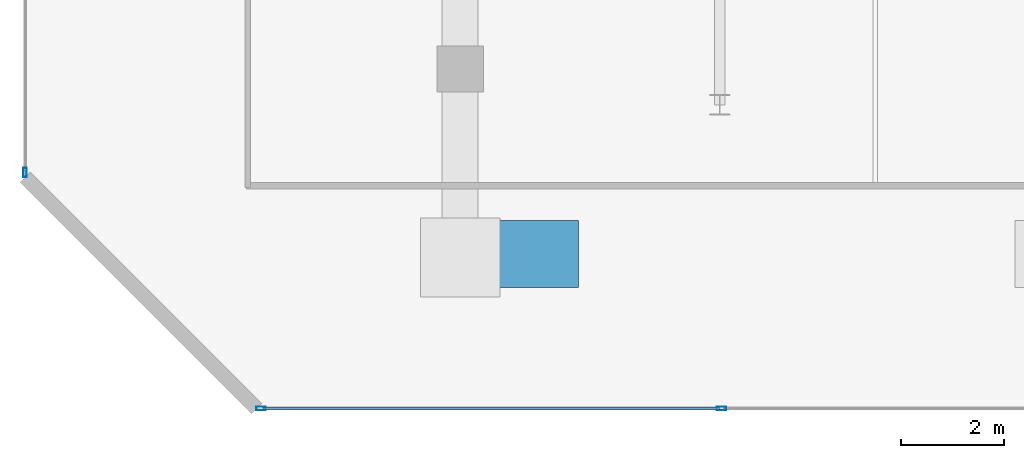
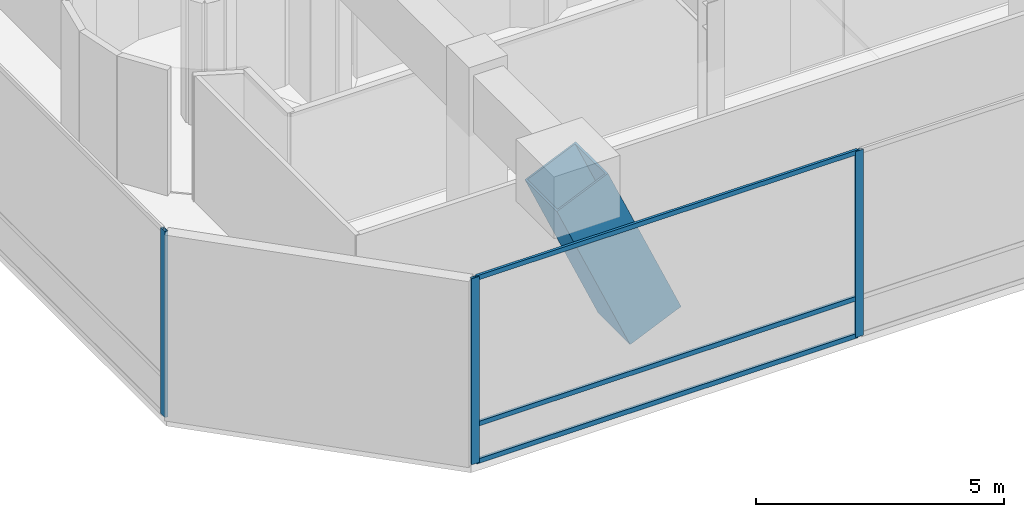
# One storey, part 5 of 45: 7 members, 2 elements without a shape of their own.
"""IFC4 building model written with IfcOpenShell, lengths in metres."""

from ifc_helpers import new_model, si_unit, direction, frame, origin, origin_2d, place, context, subcontext, project, spatial, hollow_rectangle, extrude, material, layer, layer_set, material_profile, profile_set, type_object, element, aggregate, save


model = new_model("IFC4")

# Units and contexts
model_context = context("Model", 3, precision=1e-05, world=origin(), true_north=direction((0.0, 1.0)))
body_context = subcontext(model_context, "Body", "Model", "MODEL_VIEW")
ifc_project = project(units=[si_unit("LENGTHUNIT", "METRE"), si_unit("AREAUNIT", "SQUARE_METRE"), si_unit("VOLUMEUNIT", "CUBIC_METRE"), si_unit("PLANEANGLEUNIT", "RADIAN"), si_unit("MASSUNIT", "GRAM", prefix="KILO")], contexts=[model_context])

# Site, building, storey
site_placement = place(None, origin())
site = spatial("IfcSite", under=ifc_project, at=site_placement, CompositionType="ELEMENT")
building_placement = place(site_placement, origin())
building = spatial("IfcBuilding", under=site, at=building_placement, Name="Qianvela Tower", CompositionType="ELEMENT")
storey_placement = place(building_placement, frame((0.0, 0.0, 11.0)))
storey = spatial("IfcBuildingStorey", under=building, at=storey_placement, Name="L02", CompositionType="ELEMENT", Elevation=11.0)

# Curtain wall, members
ifc_material_1 = material(Name="Anodised Architectural Aluminium and Low-E Glass", Category="aluminium")
ifc_layer = layer(ifc_material_1, 0.179931640625)
ifc_layer_set = layer_set([ifc_layer], Name="Anodised Architectural Aluminium and Low-E Glass")
curtain_wall_type = type_object("IfcCurtainWallType", Name="CW-COMMONS", PredefinedType="USERDEFINED", material=ifc_layer_set)
curtain_wall_1_placement = place(storey_placement, origin())
curtain_wall_1 = element("IfcCurtainWall", 1, at=curtain_wall_1_placement, inside=storey, type_object=curtain_wall_type, Name="L02 CW-COMMONS Curtain Wall 01", ObjectType="CURTAIN_WALL_SYSTEM", PredefinedType="USERDEFINED")
ifc_material_2 = material(Name="Anodised Architectural Aluminium 6063-T6", Category="aluminium")
ifc_material_profile_1 = material_profile(ifc_material_2, hollow_rectangle(XDim=0.070068359375, YDim=0.179931640625, WallThickness=0.0048828125, at=origin_2d()), Name="ALU-MULL-70x180")
ifc_profile_set_1 = profile_set([ifc_material_profile_1], Name="Anodised Architectural Aluminium 6063-T6")
member_type_1 = type_object("IfcMemberType", Name="CW-COMMONS-MULL", PredefinedType="MULLION", material=ifc_profile_set_1)
member_1_placement = place(storey_placement, frame((6.0849609375, 1.5, 0.0), z_axis=(0.0, 0.0, 1.0), x_axis=(0.0, 1.0, 0.0)))
member_1 = element("IfcMember", 2, at=member_1_placement, type_object=member_type_1, Name="CW-2 mullion 1", PredefinedType="MULLION", context=body_context, shape_type="SweptSolid", body=[
    extrude(hollow_rectangle(XDim=0.070068359375, YDim=0.179931640625, WallThickness=0.0048828125, at=origin_2d()), origin(), (0.0, 0.0, 1.0), 4.580078125),
])
member_2_placement = place(storey_placement, frame((15.03564453125, 1.5, 0.0), z_axis=(0.0, 0.0, 1.0), x_axis=(0.0, 1.0, 0.0)))
member_2 = element("IfcMember", 3, at=member_2_placement, type_object=member_type_1, Name="CW-2 mullion 2", PredefinedType="MULLION", context=body_context, shape_type="SweptSolid", body=[
    extrude(hollow_rectangle(XDim=0.070068359375, YDim=0.179931640625, WallThickness=0.0048828125, at=origin_2d()), origin(), (0.0, 0.0, 1.0), 4.580078125),
])

# Curtain wall, member
curtain_wall_2_placement = place(storey_placement, origin())
curtain_wall_2 = element("IfcCurtainWall", 4, at=curtain_wall_2_placement, inside=storey, type_object=curtain_wall_type, Name="L02 CW-COMMONS Curtain Wall 07", ObjectType="CURTAIN_WALL_SYSTEM", PredefinedType="USERDEFINED")
member_3_placement = place(storey_placement, frame((1.5, 6.0849609375, 0.0), z_axis=(0.0, 0.0, 1.0), x_axis=(1.0, 0.0, 0.0)))
member_3 = element("IfcMember", 5, at=member_3_placement, type_object=member_type_1, Name="CW-2 mullion 5", PredefinedType="MULLION", context=body_context, shape_type="SweptSolid", body=[
    extrude(hollow_rectangle(XDim=0.070068359375, YDim=0.179931640625, WallThickness=0.0048828125, at=origin_2d()), origin(), (0.0, 0.0, 1.0), 4.580078125),
])
aggregate(curtain_wall_2, [member_3])

# Member
ifc_material_3 = material(Name="Anodised Architectural Aluminium 6063-T6", Category="aluminium")
ifc_material_profile_2 = material_profile(ifc_material_3, hollow_rectangle(XDim=0.06005859375, YDim=0.114990234375, WallThickness=0.00390625, at=origin_2d()), Name="ALU-TRAN-60x115")
ifc_profile_set_2 = profile_set([ifc_material_profile_2], Name="Anodised Architectural Aluminium 6063-T6")
member_type_2 = type_object("IfcMemberType", Name="CW-COMMONS-TRAN", PredefinedType="USERDEFINED", material=ifc_profile_set_2)
member_4_placement = place(storey_placement, frame((6.1201171875, 1.5, 0.030029296875), z_axis=(1.0, 0.0, 0.0), x_axis=(0.0, 1.0, 0.0)))
member_4 = element("IfcMember", 6, at=member_4_placement, type_object=member_type_2, Name="CW-2 transom 1.1", ObjectType="TRANSOM", PredefinedType="USERDEFINED", context=body_context, shape_type="SweptSolid", body=[
    extrude(hollow_rectangle(XDim=0.06005859375, YDim=0.114990234375, WallThickness=0.00390625, at=origin_2d()), origin(), (0.0, 0.0, 1.0), 8.880615234375),
])

member_5_placement = place(storey_placement, frame((6.1201171875, 1.5, 0.949951171875), z_axis=(1.0, 0.0, 0.0), x_axis=(0.0, 1.0, 0.0)))
member_5 = element("IfcMember", 7, at=member_5_placement, type_object=member_type_2, Name="CW-2 transom 1.2", ObjectType="TRANSOM", PredefinedType="USERDEFINED", context=body_context, shape_type="SweptSolid", body=[
    extrude(hollow_rectangle(XDim=0.06005859375, YDim=0.114990234375, WallThickness=0.00390625, at=origin_2d()), origin(), (0.0, 0.0, 1.0), 8.880615234375),
])

member_6_placement = place(storey_placement, frame((6.1201171875, 1.5, 4.550048828125), z_axis=(1.0, 0.0, 0.0), x_axis=(0.0, 1.0, 0.0)))
member_6 = element("IfcMember", 8, at=member_6_placement, type_object=member_type_2, Name="CW-2 transom 1.3", ObjectType="TRANSOM", PredefinedType="USERDEFINED", context=body_context, shape_type="SweptSolid", body=[
    extrude(hollow_rectangle(XDim=0.06005859375, YDim=0.114990234375, WallThickness=0.00390625, at=origin_2d()), origin(), (0.0, 0.0, 1.0), 8.880615234375),
])

aggregate(curtain_wall_1, [member_1, member_2, member_4, member_5, member_6])

ifc_material_4 = material(Name="Steel Q420GJC", Category="steel")
ifc_material_profile_3 = material_profile(ifc_material_4, hollow_rectangle(XDim=1.300048828125, YDim=1.300048828125, WallThickness=0.044921875, at=origin_2d()), Name="VBOX-1300x1300x45")
ifc_profile_set_3 = profile_set([ifc_material_profile_3], Name="Steel Q420GJC")
member_type_3 = type_object("IfcMemberType", Name="MBR-VCOL-1300", PredefinedType="POST", material=ifc_profile_set_3)
member_7_placement = place(storey_placement, frame((11.661376953125, 4.5, 0.0), z_axis=(-0.402692265556, 0.0, 0.915335424455), x_axis=(0.0, -1.0, 0.0)))
element("IfcMember", 9, at=member_7_placement, inside=storey, type_object=member_type_3, Name="L02 Concourse Inclined V-Column VC-S1 Leg L", PredefinedType="POST", context=body_context, shape_type="SweptSolid", body=[
    extrude(hollow_rectangle(XDim=1.300048828125, YDim=1.300048828125, WallThickness=0.044921875, at=origin_2d()), origin(), (0.0, 0.0, 1.0), 4.236572265625),
])

save(model, "model.ifc")
